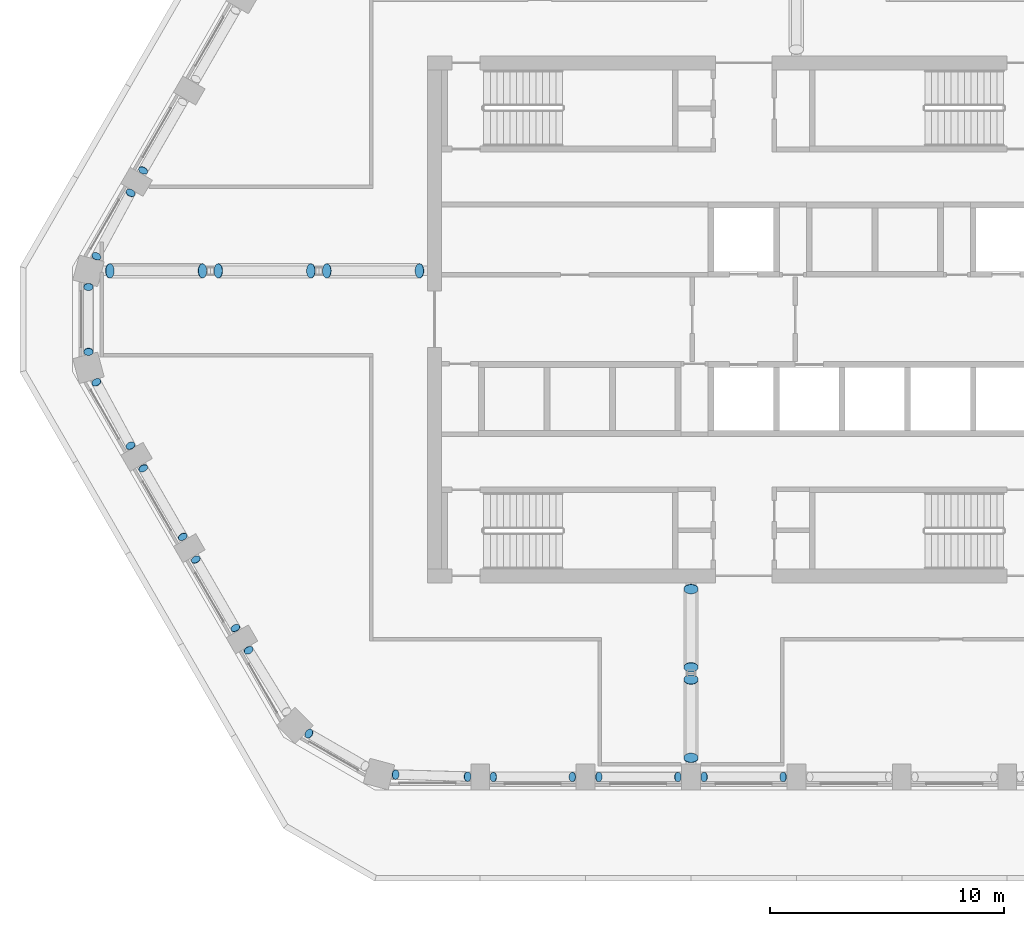
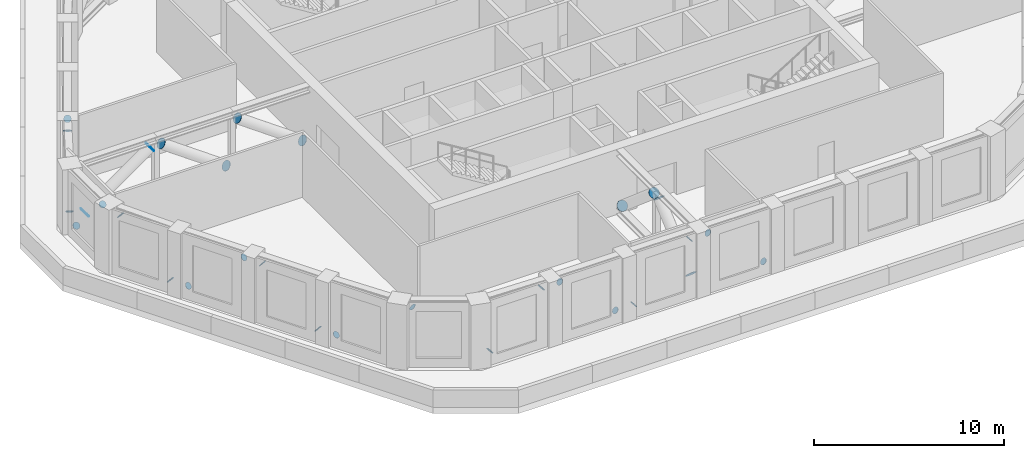
# One storey, part 11 of 15: 31 discrete accessories.
"""IFC4 building model written with IfcOpenShell, lengths in metres."""

from ifc_helpers import new_model, si_unit, direction, frame, origin, origin_2d, place, context, subcontext, project, spatial, circle, extrude, material, material_profile, profile_set, type_object, element, save


model = new_model("IFC4")

# Units and contexts
model_context = context("Model", 3, precision=1e-05, world=origin(), true_north=direction((0.0, 1.0)))
body_context = subcontext(model_context, "Body", "Model", "MODEL_VIEW")
ifc_project = project(units=[si_unit("LENGTHUNIT", "METRE"), si_unit("AREAUNIT", "SQUARE_METRE"), si_unit("VOLUMEUNIT", "CUBIC_METRE"), si_unit("PLANEANGLEUNIT", "RADIAN"), si_unit("MASSUNIT", "GRAM", prefix="KILO")], contexts=[model_context])

# Site, building, storey
site_placement = place(None, origin())
site = spatial("IfcSite", under=ifc_project, at=site_placement, CompositionType="ELEMENT")
building_placement = place(site_placement, origin())
building = spatial("IfcBuilding", under=site, at=building_placement, Name="Dhurran Vertical Campus", CompositionType="ELEMENT")
storey_placement = place(building_placement, frame((0.0, 0.0, 230.699951171875)))
storey = spatial("IfcBuildingStorey", under=building, at=storey_placement, Name="L57 Plant", CompositionType="ELEMENT", Elevation=230.699951171875)

# Discrete accessories
ifc_material_1 = material(Name="Steel S355J2", Category="steel")
ifc_material_profile_1 = material_profile(ifc_material_1, circle(Radius=0.203125, at=origin_2d()), Name="Tube end cap 406 x 20")
ifc_profile_set_1 = profile_set([ifc_material_profile_1], Name="Steel S355J2")
discrete_accessory_type_1 = type_object("IfcDiscreteAccessoryType", Name="Tube end cap 406 x 20", PredefinedType="USERDEFINED", material=ifc_profile_set_1)
for number, where, z_axis, x_axis, name in (
    (1, (-14.857421875, -19.435302734375, 0.579833984375), (-0.706896676656, 0.024375747471, -0.706896676656), (-0.03446227584, -0.999405999354, 0.0), "EC1 belt L57 d00 capA"),
    (2, (-11.796875, -19.522705078125, 3.59521484375), (0.706896676656, -0.024375747471, 0.706896676656), (0.03446227584, 0.999405999354, 0.0), "EC1 belt L57 d00 capB"),
    (3, (-7.319580078125, -19.53857421875, 0.586669921875), (0.742688444175, 0.0, -0.669637121797), (0.0, 1.0, 0.0), "EC1 belt L57 d01 capA"),
):
    element("IfcDiscreteAccessory", number, at=place(storey_placement, frame(where, z_axis=z_axis, x_axis=x_axis)), inside=storey, type_object=discrete_accessory_type_1, Name=name, ObjectType="END CAP", PredefinedType="USERDEFINED", context=body_context, shape_type="SweptSolid", body=[
        extrude(circle(Radius=0.203125, at=origin_2d()), origin(), (0.0, 0.0, 1.0), 0.02001953125),
    ])
discrete_accessory_1_placement = place(storey_placement, frame((-10.680419921875, -19.53857421875, 3.588623046875), z_axis=(-0.748762225055, 0.0, 0.662838691033), x_axis=(0.0, -1.0, 0.0)))
element("IfcDiscreteAccessory", 4, at=discrete_accessory_1_placement, inside=storey, type_object=discrete_accessory_type_1, Name="EC1 belt L57 d01 capB", ObjectType="END CAP", PredefinedType="USERDEFINED", context=body_context, shape_type="SweptSolid", body=[
    extrude(circle(Radius=0.203125, at=origin_2d()), origin(), (0.0, 0.0, 1.0), 0.019775390625),
])
discrete_accessory_2_placement = place(storey_placement, frame((-6.180419921875, -19.53857421875, 0.586669921875), z_axis=(-0.742688444175, 0.0, -0.669637121797), x_axis=(0.0, -1.0, 0.0)))
element("IfcDiscreteAccessory", 5, at=discrete_accessory_2_placement, inside=storey, type_object=discrete_accessory_type_1, Name="EC1 belt L57 d02 capA", ObjectType="END CAP", PredefinedType="USERDEFINED", context=body_context, shape_type="SweptSolid", body=[
    extrude(circle(Radius=0.203125, at=origin_2d()), origin(), (0.0, 0.0, 1.0), 0.02001953125),
])
discrete_accessory_3_placement = place(storey_placement, frame((-2.819580078125, -19.53857421875, 3.588623046875), z_axis=(0.748762225055, 0.0, 0.662838691033), x_axis=(0.0, 1.0, 0.0)))
element("IfcDiscreteAccessory", 6, at=discrete_accessory_3_placement, inside=storey, type_object=discrete_accessory_type_1, Name="EC1 belt L57 d02 capB", ObjectType="END CAP", PredefinedType="USERDEFINED", context=body_context, shape_type="SweptSolid", body=[
    extrude(circle(Radius=0.203125, at=origin_2d()), origin(), (0.0, 0.0, 1.0), 0.019775390625),
])
discrete_accessory_4_placement = place(storey_placement, frame((1.680419921875, -19.53857421875, 0.586669921875), z_axis=(0.742688444175, 0.0, -0.669637121797), x_axis=(0.0, 1.0, 0.0)))
element("IfcDiscreteAccessory", 7, at=discrete_accessory_4_placement, inside=storey, type_object=discrete_accessory_type_1, Name="EC1 belt L57 d03 capA", ObjectType="END CAP", PredefinedType="USERDEFINED", context=body_context, shape_type="SweptSolid", body=[
    extrude(circle(Radius=0.203125, at=origin_2d()), origin(), (0.0, 0.0, 1.0), 0.02001953125),
])
for number, where, z_axis, x_axis, name in (
    (8, (-1.680419921875, -19.53857421875, 3.588623046875), (-0.748762225055, 0.0, 0.662838691033), (0.0, -1.0, 0.0), "EC1 belt L57 d03 capB"),
    (9, (-25.635986328125, 6.365478515625, 3.588623046875), (-0.3685770701, -0.651152823844, 0.663438726181), (0.870256855071, -0.492598219852, 0.0), "EC1 belt L57 d28 capB"),
):
    element("IfcDiscreteAccessory", number, at=place(storey_placement, frame(where, z_axis=z_axis, x_axis=x_axis)), inside=storey, type_object=discrete_accessory_type_1, Name=name, ObjectType="END CAP", PredefinedType="USERDEFINED", context=body_context, shape_type="SweptSolid", body=[
        extrude(circle(Radius=0.203125, at=origin_2d()), origin(), (0.0, 0.0, 1.0), 0.019775390625),
    ])
for number, where, z_axis, x_axis, name in (
    (10, (-27.635009765625, 2.6962890625, 0.579833984375), (-0.340830394523, -0.620798218596, -0.706005817226), (0.87657855078, -0.481258812193, 0.0), "EC1 belt L57 d29 capA"),
    (11, (-26.1806640625, 5.390625, 3.59521484375), (0.340830394523, 0.620798218596, 0.706005817226), (-0.87657855078, 0.481258812193, 0.0), "EC1 belt L57 d29 capB"),
):
    element("IfcDiscreteAccessory", number, at=place(storey_placement, frame(where, z_axis=z_axis, x_axis=x_axis)), inside=storey, type_object=discrete_accessory_type_1, Name=name, ObjectType="END CAP", PredefinedType="USERDEFINED", context=body_context, shape_type="SweptSolid", body=[
        extrude(circle(Radius=0.203125, at=origin_2d()), origin(), (0.0, 0.0, 1.0), 0.02001953125),
    ])
for number, where, z_axis, x_axis, name in (
    (12, (-27.973388671875, 1.376220703125, 0.571533203125), (0.0, 0.675724628517, -0.737154140201), (-1.0, 0.0, 0.0), "EC1 belt L57 d30 capA"),
    (13, (-27.973388671875, -1.376220703125, 3.603515625), (0.0, -0.675724628517, 0.737154140201), (1.0, 0.0, 0.0), "EC1 belt L57 d30 capB"),
):
    element("IfcDiscreteAccessory", number, at=place(storey_placement, frame(where, z_axis=z_axis, x_axis=x_axis)), inside=storey, type_object=discrete_accessory_type_1, Name=name, ObjectType="END CAP", PredefinedType="USERDEFINED", context=body_context, shape_type="SweptSolid", body=[
        extrude(circle(Radius=0.203125, at=origin_2d()), origin(), (0.0, 0.0, 1.0), 0.019775390625),
    ])
for number, where, z_axis, x_axis, name in (
    (14, (-26.1806640625, -5.390625, 0.579833984375), (0.340830394523, -0.620798218596, -0.706005817226), (0.87657855078, 0.481258812193, 0.0), "EC1 belt L57 d31 capA"),
    (15, (-27.635009765625, -2.6962890625, 3.59521484375), (-0.340830394523, 0.620798218596, 0.706005817226), (-0.87657855078, -0.481258812193, 0.0), "EC1 belt L57 d31 capB"),
    (16, (-25.635986328125, -6.365478515625, 0.586669921875), (-0.365581911, 0.645861376099, -0.670233503499), (-0.870256855071, -0.492598219852, 0.0), "EC1 belt L57 d32 capA"),
):
    element("IfcDiscreteAccessory", number, at=place(storey_placement, frame(where, z_axis=z_axis, x_axis=x_axis)), inside=storey, type_object=discrete_accessory_type_1, Name=name, ObjectType="END CAP", PredefinedType="USERDEFINED", context=body_context, shape_type="SweptSolid", body=[
        extrude(circle(Radius=0.203125, at=origin_2d()), origin(), (0.0, 0.0, 1.0), 0.02001953125),
    ])
for number, where, z_axis, x_axis, name in (
    (17, (-23.95556640625, -9.27587890625, 3.588623046875), (0.3685770701, -0.651152823844, 0.663438726181), (0.870256855071, 0.492598219852, 0.0), "EC1 belt L57 d32 capB"),
    (18, (-21.70556640625, -13.173095703125, 0.586669921875), (0.368465851911, -0.638674143313, -0.675520728504), (0.866185586049, 0.49972245349, 0.0), "EC1 belt L57 d33 capA"),
    (19, (-23.385986328125, -10.262451171875, 3.588623046875), (-0.3685770701, 0.651152823844, 0.663438726181), (-0.870256855071, -0.492598219852, 0.0), "EC1 belt L57 d33 capB"),
):
    element("IfcDiscreteAccessory", number, at=place(storey_placement, frame(where, z_axis=z_axis, x_axis=x_axis)), inside=storey, type_object=discrete_accessory_type_1, Name=name, ObjectType="END CAP", PredefinedType="USERDEFINED", context=body_context, shape_type="SweptSolid", body=[
        extrude(circle(Radius=0.203125, at=origin_2d()), origin(), (0.0, 0.0, 1.0), 0.019775390625),
    ])
discrete_accessory_5_placement = place(storey_placement, frame((-21.1337890625, -14.132080078125, 0.579833984375), z_axis=(-0.367469397963, 0.600200016674, -0.710440836063), x_axis=(-0.852851304076, -0.522153859639, 0.0)))
element("IfcDiscreteAccessory", 20, at=discrete_accessory_5_placement, inside=storey, type_object=discrete_accessory_type_1, Name="EC1 belt L57 d34 capA", ObjectType="END CAP", PredefinedType="USERDEFINED", context=body_context, shape_type="SweptSolid", body=[
    extrude(circle(Radius=0.203125, at=origin_2d()), origin(), (0.0, 0.0, 1.0), 0.02001953125),
])
discrete_accessory_6_placement = place(storey_placement, frame((-18.553466796875, -17.69189453125, 3.603515625), z_axis=(-0.589367574947, 0.331519260908, 0.736709468684), x_axis=(-0.490261239633, -0.871575537125, 0.0)))
element("IfcDiscreteAccessory", 21, at=discrete_accessory_6_placement, inside=storey, type_object=discrete_accessory_type_1, Name="EC1 belt L57 d35 capB", ObjectType="END CAP", PredefinedType="USERDEFINED", context=body_context, shape_type="SweptSolid", body=[
    extrude(circle(Radius=0.203125, at=origin_2d()), origin(), (0.0, 0.0, 1.0), 0.019775390625),
])
ifc_material_2 = material(Name="Steel S355J2", Category="steel")
ifc_material_profile_2 = material_profile(ifc_material_2, circle(Radius=0.304931640625, at=origin_2d()), Name="Tube end cap 610 x 20")
ifc_profile_set_2 = profile_set([ifc_material_profile_2], Name="Steel S355J2")
discrete_accessory_type_2 = type_object("IfcDiscreteAccessoryType", Name="Tube end cap 610 x 20", PredefinedType="USERDEFINED", material=ifc_profile_set_2)
for number, where, z_axis, x_axis, name in (
    (22, (-13.84814453125, 2.069580078125, 0.683349609375), (0.808736084303, 0.0, -0.588171697675), (0.0, 1.0, 0.0), "EC1 outrigger L57 OR-W d0 capA"),
    (23, (-17.78662109375, 2.069580078125, 3.49169921875), (-0.808736084303, 0.0, 0.588171697675), (0.0, -1.0, 0.0), "EC1 outrigger L57 OR-W d0 capB"),
    (24, (-18.48291015625, 2.069580078125, 0.683349609375), (0.808736084303, 0.0, -0.588171697675), (0.0, 1.0, 0.0), "EC1 outrigger L57 OR-W d1 capA"),
    (25, (-22.421142578125, 2.069580078125, 3.49169921875), (-0.812912862639, 0.0, 0.582385334428), (0.0, -1.0, 0.0), "EC1 outrigger L57 OR-W d1 capB"),
    (26, (-27.055908203125, 2.069580078125, 0.683349609375), (-0.808736084303, 0.0, -0.588171697675), (0.0, -1.0, 0.0), "EC1 outrigger L57 OR-W d2 capA"),
    (27, (-23.11767578125, 2.069580078125, 3.49169921875), (0.812912862639, 0.0, 0.582385334428), (0.0, 1.0, 0.0), "EC1 outrigger L57 OR-W d2 capB"),
    (28, (-2.25, -11.521484375, 0.6669921875), (0.0, 0.760121344352, -0.649781149204), (-1.0, 0.0, 0.0), "EC1 outrigger L57 OR-S d0 capA"),
):
    element("IfcDiscreteAccessory", number, at=place(storey_placement, frame(where, z_axis=z_axis, x_axis=x_axis)), inside=storey, type_object=discrete_accessory_type_2, Name=name, ObjectType="END CAP", PredefinedType="USERDEFINED", context=body_context, shape_type="SweptSolid", body=[
        extrude(circle(Radius=0.304931640625, at=origin_2d()), origin(), (0.0, 0.0, 1.0), 0.02001953125),
    ])
discrete_accessory_7_placement = place(storey_placement, frame((-2.25, -14.84765625, 3.508056640625), z_axis=(0.0, -0.759256602365, 0.650791373456), x_axis=(1.0, 0.0, 0.0)))
element("IfcDiscreteAccessory", 29, at=discrete_accessory_7_placement, inside=storey, type_object=discrete_accessory_type_2, Name="EC1 outrigger L57 OR-S d0 capB", ObjectType="END CAP", PredefinedType="USERDEFINED", context=body_context, shape_type="SweptSolid", body=[
    extrude(circle(Radius=0.304931640625, at=origin_2d()), origin(), (0.0, 0.0, 1.0), 0.020263671875),
])
discrete_accessory_8_placement = place(storey_placement, frame((-2.25, -18.717041015625, 0.6669921875), z_axis=(0.0, -0.760121344352, -0.649781149204), x_axis=(1.0, 0.0, 0.0)))
element("IfcDiscreteAccessory", 30, at=discrete_accessory_8_placement, inside=storey, type_object=discrete_accessory_type_2, Name="EC1 outrigger L57 OR-S d1 capA", ObjectType="END CAP", PredefinedType="USERDEFINED", context=body_context, shape_type="SweptSolid", body=[
    extrude(circle(Radius=0.304931640625, at=origin_2d()), origin(), (0.0, 0.0, 1.0), 0.02001953125),
])
discrete_accessory_9_placement = place(storey_placement, frame((-2.25, -15.390869140625, 3.508056640625), z_axis=(0.0, 0.759256602365, 0.650791373456), x_axis=(-1.0, 0.0, 0.0)))
element("IfcDiscreteAccessory", 31, at=discrete_accessory_9_placement, inside=storey, type_object=discrete_accessory_type_2, Name="EC1 outrigger L57 OR-S d1 capB", ObjectType="END CAP", PredefinedType="USERDEFINED", context=body_context, shape_type="SweptSolid", body=[
    extrude(circle(Radius=0.304931640625, at=origin_2d()), origin(), (0.0, 0.0, 1.0), 0.020263671875),
])

save(model, "model.ifc")
